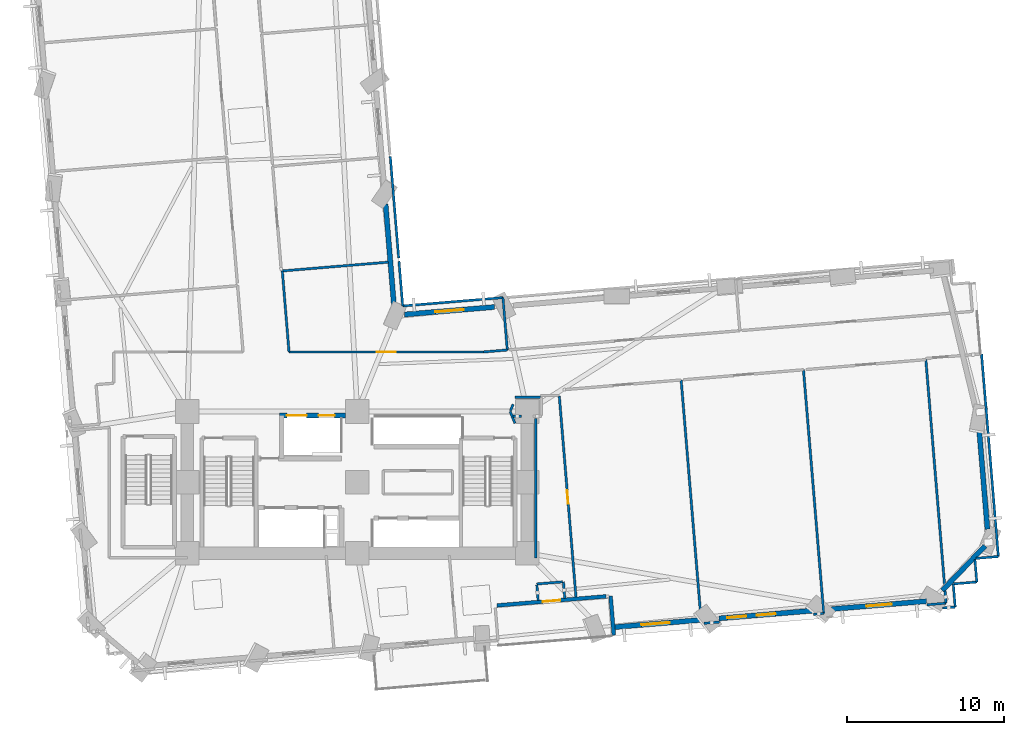
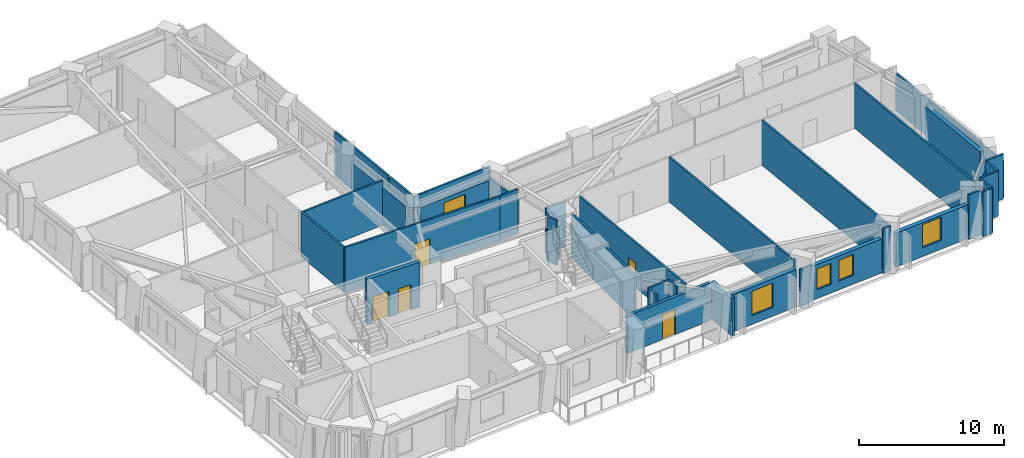
# One storey, part 8 of 14: 40 walls, 5 doors, 5 windows, 10 openings.
"""IFC4 building model written with IfcOpenShell, lengths in metres."""

from ifc_helpers import new_model, si_unit, direction, frame, frame_2d, origin, place, context, subcontext, project, spatial, rectangle, extrude, material, layer, layer_set, type_object, element, fill, save


model = new_model("IFC4")

# Units and contexts
model_context = context("Model", 3, precision=1e-05, world=origin(), true_north=direction((0.0, 1.0)))
body_context = subcontext(model_context, "Body", "Model", "MODEL_VIEW")
ifc_project = project(units=[si_unit("LENGTHUNIT", "METRE"), si_unit("AREAUNIT", "SQUARE_METRE"), si_unit("VOLUMEUNIT", "CUBIC_METRE"), si_unit("PLANEANGLEUNIT", "RADIAN"), si_unit("MASSUNIT", "GRAM", prefix="KILO")], contexts=[model_context])

# Site, building, storey
site_placement = place(None, origin())
site = spatial("IfcSite", under=ifc_project, at=site_placement, CompositionType="ELEMENT")
building_placement = place(site_placement, origin())
building = spatial("IfcBuilding", under=site, at=building_placement, Name="Gaonmaruhae Medical Tower", CompositionType="ELEMENT")
storey_placement = place(building_placement, frame((0.0, 0.0, 43.0)))
storey = spatial("IfcBuildingStorey", under=building, at=storey_placement, Name="L09", CompositionType="ELEMENT", Elevation=43.0)

# Wall, opening, door
ifc_material_1 = material(Name="Precast concrete C45/55", Category="concrete")
ifc_layer_1 = layer(ifc_material_1, 0.239990234375)
ifc_layer_set_1 = layer_set([ifc_layer_1], Name="Precast concrete C45/55")
wall_type_1 = type_object("IfcWallType", Name="EW-240 Ribbon & Shelter Insulated Precast Wall", PredefinedType="SOLIDWALL", material=ifc_layer_set_1)
wall_1_placement = place(storey_placement, frame((40.6142578125, 5.052978515625, 0.0), z_axis=(0.0, 0.0, 1.0), x_axis=(-0.99656749658, -0.082784205981, 0.0)))
wall_1 = element("IfcWall", 1, at=wall_1_placement, inside=storey, type_object=wall_type_1, Name="L09 Recessed Terrace Enclosure Wall TERB", PredefinedType="SOLIDWALL", context=body_context, shape_type="SweptSolid", body=[
    extrude(rectangle(XDim=6.9599609375, YDim=0.239990234375, at=frame_2d((3.47998046875, 0.0))), origin(), (0.0, 0.0, 1.0), 3.1650390625),
])
opening_1_placement = place(wall_1_placement, frame((2.929931640625, 0.0, 0.0)))
opening_1 = element("IfcOpeningElement", 2, at=opening_1_placement, cuts=wall_1, Name="Opening TD-01", PredefinedType="OPENING", context=body_context, shape_type="SweptSolid", body=[
    extrude(rectangle(XDim=1.10009765625, YDim=2.14990234375, at=frame_2d((0.550048828125, 1.074951171875))), frame((0.0, 0.1298828125, 0.0), z_axis=(0.0, -1.0, 0.0), x_axis=(1.0, 0.0, 0.0)), (0.0, 0.0, 1.0), 0.260009765625),
])
ifc_material_2 = material(Name="Anodised aluminium and toughened safety glass", Category="aluminium")
door_type_1 = type_object("IfcDoorType", Name="TD-01 Terrace & Sky Garden Glazed Door 1100x2150", OperationType="NOTDEFINED", PredefinedType="DOOR", material=ifc_material_2)
door_1_placement = place(opening_1_placement, origin())
door_1 = element("IfcDoor", 3, at=door_1_placement, inside=storey, type_object=door_type_1, Name="L09 Outdoor Terrace Access Door SLB-L09-TER", OperationType="SINGLE_SWING_LEFT", OverallHeight=2.14990234375, OverallWidth=1.10009765625, PredefinedType="DOOR", context=body_context, shape_type="SweptSolid", body=[
    extrude(rectangle(XDim=1.10009765625, YDim=2.14990234375, at=frame_2d((0.550048828125, 1.074951171875))), frame((0.0, 0.02490234375, 0.0), z_axis=(0.0, -1.0, 0.0), x_axis=(1.0, 0.0, 0.0)), (0.0, 0.0, 1.0), 0.050048828125),
])
fill(opening_1, door_1)

# Wall
wall_2_placement = place(storey_placement, frame((41.100341796875, 2.584716796875, 0.0), z_axis=(0.0, 0.0, 1.0), x_axis=(-0.082811106501, 0.996565261606, 0.0)))
element("IfcWall", 4, at=wall_2_placement, inside=storey, type_object=wall_type_1, Name="L09 Recessed Terrace Enclosure Wall TERR", PredefinedType="SOLIDWALL", context=body_context, shape_type="SweptSolid", body=[
    extrude(rectangle(XDim=2.5, YDim=0.239990234375, at=frame_2d((1.25, 0.0))), origin(), (0.0, 0.0, 1.0), 3.1650390625),
])

# Wall, opening, window
ifc_layer_2 = layer(ifc_material_1, 0.320068359375)
ifc_layer_set_2 = layer_set([ifc_layer_2], Name="Precast concrete C45/55")
wall_type_2 = type_object("IfcWallType", Name="EW-320 Lower Precast Masonry-Frame Facade Wall", PredefinedType="SOLIDWALL", material=ifc_layer_set_2)
wall_3_placement = place(storey_placement, frame((46.587646484375, 3.552490234375, 0.0), z_axis=(0.0, 0.0, 1.0), x_axis=(-0.99656613328, -0.082800615939, 0.0)))
wall_3 = element("IfcWall", 5, at=wall_3_placement, inside=storey, type_object=wall_type_2, Name="L09 Precast Masonry-Frame Wall S05-S06", PredefinedType="SOLIDWALL", context=body_context, shape_type="SweptSolid", body=[
    extrude(rectangle(XDim=5.528564453125, YDim=0.320068359375, at=frame_2d((2.76416015625, 0.0))), origin(), (0.0, 0.0, 1.0), 3.14501953125),
])
opening_2_placement = place(wall_3_placement, frame((1.94091796875, 0.0, 0.75)))
opening_2 = element("IfcOpeningElement", 6, at=opening_2_placement, cuts=wall_3, Name="Opening WN-04", PredefinedType="OPENING", context=body_context, shape_type="SweptSolid", body=[
    extrude(rectangle(XDim=1.800048828125, YDim=2.050048828125, at=frame_2d((0.89990234375, 1.02490234375))), frame((0.0, 0.169921875, 0.0), z_axis=(0.0, -1.0, 0.0), x_axis=(1.0, 0.0, 0.0)), (0.0, 0.0, 1.0), 0.340087890625),
])
ifc_material_3 = material(Name="Anodised aluminium and Low-E double glazing", Category="aluminium")
window_type_1 = type_object("IfcWindowType", Name="WN-04 Clinic & Consult Punched Window 1800x2050", PartitioningType="SINGLE_PANEL", PredefinedType="WINDOW", material=ifc_material_3)
window_1_placement = place(opening_2_placement, origin())
window_1 = element("IfcWindow", 7, at=window_1_placement, inside=storey, type_object=window_type_1, Name="L09 Modular Facade Window S05", OverallHeight=2.050048828125, OverallWidth=1.800048828125, PartitioningType="SINGLE_PANEL", PredefinedType="WINDOW", context=body_context, shape_type="SweptSolid", body=[
    extrude(rectangle(XDim=1.800048828125, YDim=2.050048828125, at=frame_2d((0.89990234375, 1.02490234375))), frame((0.0, 0.030029296875, 0.0), z_axis=(0.0, -1.0, 0.0), x_axis=(1.0, 0.0, 0.0)), (0.0, 0.0, 1.0), 0.06005859375),
])
fill(opening_2, window_1)

# Wall, openings, windows
wall_4_placement = place(storey_placement, frame((53.775390625, 4.14990234375, 0.0), z_axis=(0.0, 0.0, 1.0), x_axis=(-0.996563099215, -0.082837125026, 0.0)))
wall_4 = element("IfcWall", 8, at=wall_4_placement, inside=storey, type_object=wall_type_2, Name="L09 Precast Masonry-Frame Wall S06-S07", PredefinedType="SOLIDWALL", context=body_context, shape_type="SweptSolid", body=[
    extrude(rectangle(XDim=6.012451171875, YDim=0.320068359375, at=frame_2d((3.00634765625, 0.0))), origin(), (0.0, 0.0, 1.0), 2.864990234375),
])
opening_3_placement = place(wall_4_placement, frame((2.408935546875, 0.0, 0.75)))
opening_3 = element("IfcOpeningElement", 9, at=opening_3_placement, cuts=wall_4, Name="Opening WN-05", PredefinedType="OPENING", context=body_context, shape_type="SweptSolid", body=[
    extrude(rectangle(XDim=1.199951171875, YDim=1.75, at=frame_2d((0.60009765625, 0.875))), frame((0.0, 0.169921875, 0.0), z_axis=(0.0, -1.0, 0.0), x_axis=(1.0, 0.0, 0.0)), (0.0, 0.0, 1.0), 0.340087890625),
])
opening_4_placement = place(wall_4_placement, frame((4.27392578125, 0.0, 0.75)))
opening_4 = element("IfcOpeningElement", 10, at=opening_4_placement, cuts=wall_4, Name="Opening WN-05", PredefinedType="OPENING", context=body_context, shape_type="SweptSolid", body=[
    extrude(rectangle(XDim=1.199951171875, YDim=1.75, at=frame_2d((0.60009765625, 0.875))), frame((0.0, 0.169921875, 0.0), z_axis=(0.0, -1.0, 0.0), x_axis=(1.0, 0.0, 0.0)), (0.0, 0.0, 1.0), 0.340087890625),
])
window_type_2 = type_object("IfcWindowType", Name="WN-05 Support & Staff Punched Window 1200x1750", PartitioningType="SINGLE_PANEL", PredefinedType="WINDOW", material=ifc_material_3)
window_2_placement = place(opening_3_placement, origin())
window_2 = element("IfcWindow", 11, at=window_2_placement, inside=storey, type_object=window_type_2, Name="L09 Modular Facade Window S06", OverallHeight=1.75, OverallWidth=1.199951171875, PartitioningType="SINGLE_PANEL", PredefinedType="WINDOW", context=body_context, shape_type="SweptSolid", body=[
    extrude(rectangle(XDim=1.199951171875, YDim=1.75, at=frame_2d((0.60009765625, 0.875))), frame((0.0, 0.030029296875, 0.0), z_axis=(0.0, -1.0, 0.0), x_axis=(1.0, 0.0, 0.0)), (0.0, 0.0, 1.0), 0.06005859375),
])
fill(opening_3, window_2)
window_3_placement = place(opening_4_placement, origin())
window_3 = element("IfcWindow", 12, at=window_3_placement, inside=storey, type_object=window_type_2, Name="L09 Modular Facade Window S06B", OverallHeight=1.75, OverallWidth=1.199951171875, PartitioningType="SINGLE_PANEL", PredefinedType="WINDOW", context=body_context, shape_type="SweptSolid", body=[
    extrude(rectangle(XDim=1.199951171875, YDim=1.75, at=frame_2d((0.60009765625, 0.875))), frame((0.0, 0.030029296875, 0.0), z_axis=(0.0, -1.0, 0.0), x_axis=(1.0, 0.0, 0.0)), (0.0, 0.0, 1.0), 0.06005859375),
])
fill(opening_4, window_3)

# Wall, opening, window
wall_5_placement = place(storey_placement, frame((60.969482421875, 4.74755859375, 0.0), z_axis=(0.0, 0.0, 1.0), x_axis=(-0.996566340034, -0.082798127465, 0.0)))
wall_5 = element("IfcWall", 13, at=wall_5_placement, inside=storey, type_object=wall_type_2, Name="L09 Precast Masonry-Frame Wall S07-S08", PredefinedType="SOLIDWALL", context=body_context, shape_type="SweptSolid", body=[
    extrude(rectangle(XDim=6.044677734375, YDim=0.320068359375, at=frame_2d((3.0224609375, 0.0))), origin(), (0.0, 0.0, 1.0), 2.864990234375),
])
opening_5_placement = place(wall_5_placement, frame((2.226806640625, 0.0, 0.75)))
opening_5 = element("IfcOpeningElement", 14, at=opening_5_placement, cuts=wall_5, Name="Opening WN-01", PredefinedType="OPENING", context=body_context, shape_type="SweptSolid", body=[
    extrude(rectangle(XDim=1.60009765625, YDim=1.949951171875, at=frame_2d((0.800048828125, 0.97509765625))), frame((0.0, 0.169921875, 0.0), z_axis=(0.0, -1.0, 0.0), x_axis=(1.0, 0.0, 0.0)), (0.0, 0.0, 1.0), 0.340087890625),
])
window_type_3 = type_object("IfcWindowType", Name="WN-01 Ward Punched Acoustic Window 1600x1950", PartitioningType="SINGLE_PANEL", PredefinedType="WINDOW", material=ifc_material_3)
window_4_placement = place(opening_5_placement, origin())
window_4 = element("IfcWindow", 15, at=window_4_placement, inside=storey, type_object=window_type_3, Name="L09 Modular Facade Window S07", OverallHeight=1.949951171875, OverallWidth=1.60009765625, PartitioningType="SINGLE_PANEL", PredefinedType="WINDOW", context=body_context, shape_type="SweptSolid", body=[
    extrude(rectangle(XDim=1.60009765625, YDim=1.949951171875, at=frame_2d((0.800048828125, 0.97509765625))), frame((0.0, 0.030029296875, 0.0), z_axis=(0.0, -1.0, 0.0), x_axis=(1.0, 0.0, 0.0)), (0.0, 0.0, 1.0), 0.06005859375),
])
fill(opening_5, window_4)

# Walls
wall_6_placement = place(storey_placement, frame((64.685791015625, 8.25439453125, 0.0), z_axis=(0.0, 0.0, 1.0), x_axis=(-0.692157788421, -0.721746212964, 0.0)))
element("IfcWall", 16, at=wall_6_placement, inside=storey, type_object=wall_type_2, Name="L09 Precast Masonry-Frame Wall S08-E01", PredefinedType="SOLIDWALL", context=body_context, shape_type="SweptSolid", body=[
    extrude(rectangle(XDim=3.927490234375, YDim=0.320068359375, at=frame_2d((1.9638671875, 0.0))), origin(), (0.0, 0.0, 1.0), 3.1650390625),
])
wall_7_placement = place(storey_placement, frame((64.291748046875, 15.907958984375, 0.0), z_axis=(0.0, 0.0, 1.0), x_axis=(0.082804011352, -0.996565851163, 0.0)))
element("IfcWall", 17, at=wall_7_placement, inside=storey, type_object=wall_type_2, Name="L09 Precast Masonry-Frame Wall E01-E02", PredefinedType="SOLIDWALL", context=body_context, shape_type="SweptSolid", body=[
    extrude(rectangle(XDim=6.6103515625, YDim=0.320068359375, at=frame_2d((3.30517578125, 0.0))), origin(), (0.0, 0.0, 1.0), 3.1650390625),
])

# Wall, opening, window
wall_8_placement = place(storey_placement, frame((27.79931640625, 22.96337890625, 0.0), z_axis=(0.0, 0.0, 1.0), x_axis=(0.996567737583, 0.082781304702, 0.0)))
wall_8 = element("IfcWall", 18, at=wall_8_placement, inside=storey, type_object=wall_type_2, Name="L09 Precast Masonry-Frame Wall EN04-KN01", PredefinedType="SOLIDWALL", context=body_context, shape_type="SweptSolid", body=[
    extrude(rectangle(XDim=5.736328125, YDim=0.320068359375, at=frame_2d((2.8681640625, 0.0))), origin(), (0.0, 0.0, 1.0), 3.1650390625),
])
opening_6_placement = place(wall_8_placement, frame((1.968505859375, 0.0, 0.75)))
opening_6 = element("IfcOpeningElement", 19, at=opening_6_placement, cuts=wall_8, Name="Opening WN-04", PredefinedType="OPENING", context=body_context, shape_type="SweptSolid", body=[
    extrude(rectangle(XDim=1.800048828125, YDim=2.050048828125, at=frame_2d((0.89990234375, 1.02490234375))), frame((0.0, 0.169921875, 0.0), z_axis=(0.0, -1.0, 0.0), x_axis=(1.0, 0.0, 0.0)), (0.0, 0.0, 1.0), 0.340087890625),
])
window_5_placement = place(opening_6_placement, origin())
window_5 = element("IfcWindow", 20, at=window_5_placement, inside=storey, type_object=window_type_1, Name="L09 Modular Facade Window EN04", OverallHeight=2.050048828125, OverallWidth=1.800048828125, PartitioningType="SINGLE_PANEL", PredefinedType="WINDOW", context=body_context, shape_type="SweptSolid", body=[
    extrude(rectangle(XDim=1.800048828125, YDim=2.050048828125, at=frame_2d((0.89990234375, 1.02490234375))), frame((0.0, 0.030029296875, 0.0), z_axis=(0.0, -1.0, 0.0), x_axis=(1.0, 0.0, 0.0)), (0.0, 0.0, 1.0), 0.06005859375),
])
fill(opening_6, window_5)

# Walls
wall_9_placement = place(storey_placement, frame((27.138427734375, 23.4638671875, 0.0), z_axis=(0.0, 0.0, 1.0), x_axis=(-0.082810543058, 0.996565308426, 0.0)))
element("IfcWall", 21, at=wall_9_placement, inside=storey, type_object=wall_type_2, Name="L09 Precast Masonry-Frame Wall KN01-NE01", PredefinedType="SOLIDWALL", context=body_context, shape_type="SweptSolid", body=[
    extrude(rectangle(XDim=6.5361328125, YDim=0.320068359375, at=frame_2d((3.26806640625, 0.0))), origin(), (0.0, 0.0, 1.0), 3.1650390625),
])
ifc_material_4 = material(Name="Gypsum board partition", Category="gypsum")
ifc_layer_3 = layer(ifc_material_4, 0.14990234375)
ifc_layer_set_3 = layer_set([ifc_layer_3], Name="Gypsum board partition")
wall_type_3 = type_object("IfcWallType", Name="PW-150 Rated Clinical Corridor Partition", PredefinedType="PARTITIONING", material=ifc_layer_set_3)
wall_10_placement = place(storey_placement, frame((36.14990234375, 7.5, 0.0), z_axis=(0.0, 0.0, 1.0), x_axis=(0.0, 1.0, 0.0)))
element("IfcWall", 22, at=wall_10_placement, inside=storey, type_object=wall_type_3, Name="L09 Interior Partition L09-SUP04-20", PredefinedType="PARTITIONING", context=body_context, shape_type="SweptSolid", body=[
    extrude(rectangle(XDim=8.840087890625, YDim=0.14990234375, at=frame_2d((4.419921875, 0.0))), origin(), (0.0, 0.0, 1.0), 3.780029296875),
])
wall_11_placement = place(storey_placement, frame((34.822021484375, 16.050048828125, 0.0), z_axis=(0.0, 0.0, 1.0), x_axis=(-0.382050639738, 0.924141389981, 0.0)))
element("IfcWall", 23, at=wall_11_placement, inside=storey, type_object=wall_type_3, Name="L09 Interior Partition L09-SUP04-21", PredefinedType="PARTITIONING", context=body_context, shape_type="SweptSolid", body=[
    extrude(rectangle(XDim=0.8115234375, YDim=0.14990234375, at=frame_2d((0.40576171875, 0.0))), origin(), (0.0, 0.0, 1.0), 3.780029296875),
])
wall_12_placement = place(storey_placement, frame((34.531005859375, 16.845947265625, 0.0), z_axis=(0.0, 0.0, 1.0), x_axis=(0.382612233621, 0.923909020782, 0.0)))
element("IfcWall", 24, at=wall_12_placement, inside=storey, type_object=wall_type_3, Name="L09 Interior Partition L09-SUP04-22", PredefinedType="PARTITIONING", context=body_context, shape_type="SweptSolid", body=[
    extrude(rectangle(XDim=0.441650390625, YDim=0.14990234375, at=frame_2d((0.220703125, 0.0))), origin(), (0.0, 0.0, 1.0), 3.780029296875),
])
wall_13_placement = place(storey_placement, frame((34.699951171875, 16.5, 0.0), z_axis=(0.0, 0.0, 1.0), x_axis=(1.0, 0.0, 0.0)))
element("IfcWall", 25, at=wall_13_placement, inside=storey, type_object=wall_type_3, Name="L09 Interior Partition L09-SUP04-23", PredefinedType="PARTITIONING", context=body_context, shape_type="SweptSolid", body=[
    extrude(rectangle(XDim=0.525146484375, YDim=0.14990234375, at=frame_2d((0.2626953125, 0.0))), origin(), (0.0, 0.0, 1.0), 2.864990234375),
])
wall_14_placement = place(storey_placement, frame((36.449951171875, 17.699951171875, 0.0), z_axis=(0.0, 0.0, 1.0), x_axis=(-1.0, 0.0, 0.0)))
element("IfcWall", 26, at=wall_14_placement, inside=storey, type_object=wall_type_3, Name="L09 Interior Partition L09-SUP04-26", PredefinedType="PARTITIONING", context=body_context, shape_type="SweptSolid", body=[
    extrude(rectangle(XDim=1.619873046875, YDim=0.14990234375, at=frame_2d((0.81005859375, 0.0))), origin(), (0.0, 0.0, 1.0), 3.780029296875),
])

# Wall, opening, door
wall_15_placement = place(storey_placement, frame((37.635986328125, 17.77001953125, 0.0), z_axis=(0.0, 0.0, 1.0), x_axis=(0.082807590284, -0.996565553785, 0.0)))
wall_15 = element("IfcWall", 27, at=wall_15_placement, inside=storey, type_object=wall_type_3, Name="L09 Interior Partition L09-SUP04-28", PredefinedType="PARTITIONING", context=body_context, shape_type="SweptSolid", body=[
    extrude(rectangle(XDim=12.824951171875, YDim=0.14990234375, at=frame_2d((6.41259765625, 0.0))), origin(), (0.0, 0.0, 1.0), 3.780029296875),
])
opening_7_placement = place(wall_15_placement, frame((5.982421875, 0.0, 0.0)))
opening_7 = element("IfcOpeningElement", 28, at=opening_7_placement, cuts=wall_15, Name="Opening AD-01", PredefinedType="OPENING", context=body_context, shape_type="SweptSolid", body=[
    extrude(rectangle(XDim=0.860107421875, YDim=2.06005859375, at=frame_2d((0.43017578125, 1.030029296875))), frame((0.0, 0.0849609375, 0.0), z_axis=(0.0, -1.0, 0.0), x_axis=(1.0, 0.0, 0.0)), (0.0, 0.0, 1.0), 0.169921875),
])
ifc_material_5 = material(Name="Powder-coated steel access door", Category="steel")
door_type_2 = type_object("IfcDoorType", Name="AD-01 Riser & Closet Access Fire Door 860x2060", OperationType="NOTDEFINED", PredefinedType="DOOR", material=ifc_material_5)
door_2_placement = place(opening_7_placement, origin())
door_2 = element("IfcDoor", 29, at=door_2_placement, inside=storey, type_object=door_type_2, Name="L09 Clinical Biomedical Charting Office Sliding Door", OperationType="SLIDING_TO_LEFT", OverallHeight=2.06005859375, OverallWidth=0.860107421875, PredefinedType="DOOR", context=body_context, shape_type="SweptSolid", body=[
    extrude(rectangle(XDim=0.860107421875, YDim=2.06005859375, at=frame_2d((0.43017578125, 1.030029296875))), frame((0.0, 0.02490234375, 0.0), z_axis=(0.0, -1.0, 0.0), x_axis=(1.0, 0.0, 0.0)), (0.0, 0.0, 1.0), 0.050048828125),
])
fill(opening_7, door_2)

# Walls
wall_16_placement = place(storey_placement, frame((37.986083984375, 4.929931640625, 0.0), z_axis=(0.0, 0.0, 1.0), x_axis=(-0.083562696939, 0.996502521663, 0.0)))
element("IfcWall", 30, at=wall_16_placement, inside=storey, type_object=wall_type_3, Name="L09 Interior Partition L09-SUP04-29", PredefinedType="PARTITIONING", context=body_context, shape_type="SweptSolid", body=[
    extrude(rectangle(XDim=1.0546875, YDim=0.14990234375, at=frame_2d((0.52734375, 0.0))), origin(), (0.0, 0.0, 1.0), 3.780029296875),
])
wall_17_placement = place(storey_placement, frame((37.847900390625, 5.97705078125, 0.0), z_axis=(0.0, 0.0, 1.0), x_axis=(-0.996595596875, -0.08244523206, 0.0)))
element("IfcWall", 31, at=wall_17_placement, inside=storey, type_object=wall_type_3, Name="L09 Interior Partition L09-SUP04-30", PredefinedType="PARTITIONING", context=body_context, shape_type="SweptSolid", body=[
    extrude(rectangle(XDim=1.6494140625, YDim=0.14990234375, at=frame_2d((0.82470703125, 0.0))), origin(), (0.0, 0.0, 1.0), 3.780029296875),
])
wall_18_placement = place(storey_placement, frame((36.2080078125, 5.791015625, 0.0), z_axis=(0.0, 0.0, 1.0), x_axis=(0.083527747419, -0.996505451772, 0.0)))
element("IfcWall", 32, at=wall_18_placement, inside=storey, type_object=wall_type_3, Name="L09 Interior Partition L09-SUP04-31", PredefinedType="PARTITIONING", context=body_context, shape_type="SweptSolid", body=[
    extrude(rectangle(XDim=1.00537109375, YDim=0.14990234375, at=frame_2d((0.502685546875, 0.0))), origin(), (0.0, 0.0, 1.0), 3.780029296875),
])
wall_19_placement = place(storey_placement, frame((45.376953125, 18.804931640625, 0.0), z_axis=(0.0, 0.0, 1.0), x_axis=(0.082821840324, -0.996564369605, 0.0)))
element("IfcWall", 33, at=wall_19_placement, inside=storey, type_object=wall_type_3, Name="L09 Interior Partition L09-SUP05-35", PredefinedType="PARTITIONING", context=body_context, shape_type="SweptSolid", body=[
    extrude(rectangle(XDim=15.17822265625, YDim=0.14990234375, at=frame_2d((7.589111328125, 0.0))), origin(), (0.0, 0.0, 1.0), 3.780029296875),
])
wall_20_placement = place(storey_placement, frame((53.14990234375, 19.450927734375, 0.0), z_axis=(0.0, 0.0, 1.0), x_axis=(0.08281520051, -0.9965649214, 0.0)))
element("IfcWall", 34, at=wall_20_placement, inside=storey, type_object=wall_type_3, Name="L09 Interior Partition L09-SUP06-37", PredefinedType="PARTITIONING", context=body_context, shape_type="SweptSolid", body=[
    extrude(rectangle(XDim=15.5302734375, YDim=0.14990234375, at=frame_2d((7.76513671875, 0.0))), origin(), (0.0, 0.0, 1.0), 3.780029296875),
])
wall_21_placement = place(storey_placement, frame((54.43603515625, 3.97412109375, 0.0), z_axis=(0.0, 0.0, 1.0), x_axis=(-0.996582247746, -0.082606437266, 0.0)))
element("IfcWall", 35, at=wall_21_placement, inside=storey, type_object=wall_type_3, Name="L09 Interior Partition L09-SUP06-38", PredefinedType="PARTITIONING", context=body_context, shape_type="SweptSolid", body=[
    extrude(rectangle(XDim=0.644287109375, YDim=0.14990234375, at=frame_2d((0.322265625, 0.0))), origin(), (0.0, 0.0, 1.0), 3.780029296875),
])
wall_22_placement = place(storey_placement, frame((47.802978515625, 3.423095703125, 0.0), z_axis=(0.0, 0.0, 1.0), x_axis=(-0.9965217706, -0.083332830991, 0.0)))
element("IfcWall", 36, at=wall_22_placement, inside=storey, type_object=wall_type_3, Name="L09 Interior Partition L09-SUP06-39", PredefinedType="PARTITIONING", context=body_context, shape_type="SweptSolid", body=[
    extrude(rectangle(XDim=0.984375, YDim=0.14990234375, at=frame_2d((0.4921875, 0.0))), origin(), (0.0, 0.0, 1.0), 3.14501953125),
])
wall_23_placement = place(storey_placement, frame((60.923095703125, 20.095947265625, 0.0), z_axis=(0.0, 0.0, 1.0), x_axis=(0.082827667488, -0.996563885307, 0.0)))
element("IfcWall", 37, at=wall_23_placement, inside=storey, type_object=wall_type_3, Name="L09 Interior Partition L09-SUP07-41", PredefinedType="PARTITIONING", context=body_context, shape_type="SweptSolid", body=[
    extrude(rectangle(XDim=14.378173828125, YDim=0.14990234375, at=frame_2d((7.18896484375, 0.0))), origin(), (0.0, 0.0, 1.0), 3.780029296875),
])
wall_24_placement = place(storey_placement, frame((62.14306640625, 5.407958984375, 0.0), z_axis=(0.0, 0.0, 1.0), x_axis=(0.083377708252, -0.99651801678, 0.0)))
element("IfcWall", 38, at=wall_24_placement, inside=storey, type_object=wall_type_3, Name="L09 Interior Partition L09-SUP07-42", PredefinedType="PARTITIONING", context=body_context, shape_type="SweptSolid", body=[
    extrude(rectangle(XDim=0.79052734375, YDim=0.14990234375, at=frame_2d((0.395263671875, 0.0))), origin(), (0.0, 0.0, 1.0), 3.780029296875),
])
wall_25_placement = place(storey_placement, frame((62.208984375, 4.6201171875, 0.0), z_axis=(0.0, 0.0, 1.0), x_axis=(-0.996590962636, -0.08250123146, 0.0)))
element("IfcWall", 39, at=wall_25_placement, inside=storey, type_object=wall_type_3, Name="L09 Interior Partition L09-SUP07-43", PredefinedType="PARTITIONING", context=body_context, shape_type="SweptSolid", body=[
    extrude(rectangle(XDim=1.22509765625, YDim=0.14990234375, at=frame_2d((0.612548828125, 0.0))), origin(), (0.0, 0.0, 1.0), 3.780029296875),
])
wall_26_placement = place(storey_placement, frame((20.035888671875, 25.72998046875, 0.0), z_axis=(0.0, 0.0, 1.0), x_axis=(0.99656939588, 0.082761338769, 0.0)))
element("IfcWall", 40, at=wall_26_placement, inside=storey, type_object=wall_type_3, Name="L09 Interior Partition L09-IE01-67", PredefinedType="PARTITIONING", context=body_context, shape_type="SweptSolid", body=[
    extrude(rectangle(XDim=6.75537109375, YDim=0.14990234375, at=frame_2d((3.377685546875, 0.0))), origin(), (0.0, 0.0, 1.0), 3.780029296875),
])
wall_27_placement = place(storey_placement, frame((27.450927734375, 26.345947265625, 0.0), z_axis=(0.0, 0.0, 1.0), x_axis=(0.082846950407, -0.996562282453, 0.0)))
element("IfcWall", 41, at=wall_27_placement, inside=storey, type_object=wall_type_3, Name="L09 Interior Partition L09-IE01-68", PredefinedType="PARTITIONING", context=body_context, shape_type="SweptSolid", body=[
    extrude(rectangle(XDim=2.849609375, YDim=0.14990234375, at=frame_2d((1.4248046875, 0.0))), origin(), (0.0, 0.0, 1.0), 3.780029296875),
])
wall_28_placement = place(storey_placement, frame((27.68701171875, 23.506103515625, 0.0), z_axis=(0.0, 0.0, 1.0), x_axis=(0.996571787755, 0.082732531995, 0.0)))
element("IfcWall", 42, at=wall_28_placement, inside=storey, type_object=wall_type_3, Name="L09 Interior Partition L09-IE01-69", PredefinedType="PARTITIONING", context=body_context, shape_type="SweptSolid", body=[
    extrude(rectangle(XDim=6.391845703125, YDim=0.14990234375, at=frame_2d((3.19580078125, 0.0))), origin(), (0.0, 0.0, 1.0), 3.780029296875),
])
wall_29_placement = place(storey_placement, frame((34.056884765625, 24.034912109375, 0.0), z_axis=(0.0, 0.0, 1.0), x_axis=(0.082688491374, -0.996575442901, 0.0)))
element("IfcWall", 43, at=wall_29_placement, inside=storey, type_object=wall_type_3, Name="L09 Interior Partition L09-IE01-70", PredefinedType="PARTITIONING", context=body_context, shape_type="SweptSolid", body=[
    extrude(rectangle(XDim=3.33935546875, YDim=0.14990234375, at=frame_2d((1.669677734375, 0.0))), origin(), (0.0, 0.0, 1.0), 2.864990234375),
])
wall_30_placement = place(storey_placement, frame((34.3330078125, 20.70703125, 0.0), z_axis=(0.0, 0.0, 1.0), x_axis=(-0.996547959991, -0.083019054661, 0.0)))
element("IfcWall", 44, at=wall_30_placement, inside=storey, type_object=wall_type_3, Name="L09 Interior Partition L09-IE01-71", PredefinedType="PARTITIONING", context=body_context, shape_type="SweptSolid", body=[
    extrude(rectangle(XDim=1.529296875, YDim=0.14990234375, at=frame_2d((0.7646484375, 0.0))), origin(), (0.0, 0.0, 1.0), 3.780029296875),
])

# Wall, opening, door
wall_31_placement = place(storey_placement, frame((32.80908203125, 20.580078125, 0.0), z_axis=(0.0, 0.0, 1.0), x_axis=(-1.0, 0.0, 0.0)))
wall_31 = element("IfcWall", 45, at=wall_31_placement, inside=storey, type_object=wall_type_3, Name="L09 Interior Partition L09-IE01-72", PredefinedType="PARTITIONING", context=body_context, shape_type="SweptSolid", body=[
    extrude(rectangle(XDim=12.344970703125, YDim=0.14990234375, at=frame_2d((6.17236328125, 0.0))), origin(), (0.0, 0.0, 1.0), 3.780029296875),
])
opening_8_placement = place(wall_31_placement, frame((5.572509765625, 0.0, 0.0)))
opening_8 = element("IfcOpeningElement", 46, at=opening_8_placement, cuts=wall_31, Name="Opening CD-02", PredefinedType="OPENING", context=body_context, shape_type="SweptSolid", body=[
    extrude(rectangle(XDim=1.199951171875, YDim=2.14990234375, at=frame_2d((0.60009765625, 1.074951171875))), frame((0.0, 0.0849609375, 0.0), z_axis=(0.0, -1.0, 0.0), x_axis=(1.0, 0.0, 0.0)), (0.0, 0.0, 1.0), 0.169921875),
])
ifc_material_6 = material(Name="Antimicrobial laminate timber fire door", Category="wood")
door_type_3 = type_object("IfcDoorType", Name="CD-02 Clinical Treatment & Procedure Door 1200x2150", OperationType="NOTDEFINED", PredefinedType="DOOR", material=ifc_material_6)
door_3_placement = place(opening_8_placement, origin())
door_3 = element("IfcDoor", 47, at=door_3_placement, inside=storey, type_object=door_type_3, Name="L09 Central Clinical Nurse Station Door", OperationType="SINGLE_SWING_RIGHT", OverallHeight=2.14990234375, OverallWidth=1.199951171875, PredefinedType="DOOR", context=body_context, shape_type="SweptSolid", body=[
    extrude(rectangle(XDim=1.199951171875, YDim=2.14990234375, at=frame_2d((0.60009765625, 1.074951171875))), frame((0.0, 0.02490234375, 0.0), z_axis=(0.0, -1.0, 0.0), x_axis=(1.0, 0.0, 0.0)), (0.0, 0.0, 1.0), 0.050048828125),
])
fill(opening_8, door_3)

# Walls
wall_32_placement = place(storey_placement, frame((20.464111328125, 20.580078125, 0.0), z_axis=(0.0, 0.0, 1.0), x_axis=(-0.08286562624, 0.996560729704, 0.0)))
element("IfcWall", 48, at=wall_32_placement, inside=storey, type_object=wall_type_3, Name="L09 Interior Partition L09-IE01-73", PredefinedType="PARTITIONING", context=body_context, shape_type="SweptSolid", body=[
    extrude(rectangle(XDim=5.167724609375, YDim=0.14990234375, at=frame_2d((2.583984375, 0.0))), origin(), (0.0, 0.0, 1.0), 3.780029296875),
])
wall_33_placement = place(storey_placement, frame((26.89892578125, 32.992919921875, 0.0), z_axis=(0.0, 0.0, 1.0), x_axis=(0.082688926435, -0.996575406803, 0.0)))
element("IfcWall", 49, at=wall_33_placement, inside=storey, type_object=wall_type_3, Name="L09 Interior Partition L09-IN01-85", PredefinedType="PARTITIONING", context=body_context, shape_type="SweptSolid", body=[
    extrude(rectangle(XDim=6.460205078125, YDim=0.14990234375, at=frame_2d((3.22998046875, 0.0))), origin(), (0.0, 0.0, 1.0), 3.780029296875),
])
wall_34_placement = place(storey_placement, frame((64.0458984375, 7.39208984375, 0.0), z_axis=(0.0, 0.0, 1.0), x_axis=(0.083257268656, -0.996528086516, 0.0)))
element("IfcWall", 50, at=wall_34_placement, inside=storey, type_object=wall_type_3, Name="L09 Interior Partition L09-RM03-100", PredefinedType="PARTITIONING", context=body_context, shape_type="SweptSolid", body=[
    extrude(rectangle(XDim=1.430908203125, YDim=0.14990234375, at=frame_2d((0.71533203125, 0.0))), origin(), (0.0, 0.0, 1.0), 3.780029296875),
])
wall_35_placement = place(storey_placement, frame((64.1650390625, 5.966064453125, 0.0), z_axis=(0.0, 0.0, 1.0), x_axis=(-0.99657711121, -0.082668382184, 0.0)))
element("IfcWall", 51, at=wall_35_placement, inside=storey, type_object=wall_type_3, Name="L09 Interior Partition L09-RM03-101", PredefinedType="PARTITIONING", context=body_context, shape_type="SweptSolid", body=[
    extrude(rectangle(XDim=1.500244140625, YDim=0.14990234375, at=frame_2d((0.75, 0.0))), origin(), (0.0, 0.0, 1.0), 3.780029296875),
])
wall_36_placement = place(storey_placement, frame((62.669921875, 5.842041015625, 0.0), z_axis=(0.0, 0.0, 1.0), x_axis=(0.082372007879, -0.996601651774, 0.0)))
element("IfcWall", 52, at=wall_36_placement, inside=storey, type_object=wall_type_3, Name="L09 Interior Partition L09-RM03-102", PredefinedType="PARTITIONING", context=body_context, shape_type="SweptSolid", body=[
    extrude(rectangle(XDim=1.469970703125, YDim=0.14990234375, at=frame_2d((0.73486328125, 0.0))), origin(), (0.0, 0.0, 1.0), 3.780029296875),
])
wall_37_placement = place(storey_placement, frame((62.791015625, 4.376953125, 0.0), z_axis=(0.0, 0.0, 1.0), x_axis=(-0.99656626832, -0.082798990614, 0.0)))
element("IfcWall", 53, at=wall_37_placement, inside=storey, type_object=wall_type_3, Name="L09 Interior Partition L09-RM03-103", PredefinedType="PARTITIONING", context=body_context, shape_type="SweptSolid", body=[
    extrude(rectangle(XDim=0.81982421875, YDim=0.14990234375, at=frame_2d((0.409912109375, 0.0))), origin(), (0.0, 0.0, 1.0), 3.780029296875),
])
wall_38_placement = place(storey_placement, frame((64.465087890625, 20.4609375, 0.0), z_axis=(0.0, 0.0, 1.0), x_axis=(0.082801525688, -0.996566057692, 0.0)))
element("IfcWall", 54, at=wall_38_placement, inside=storey, type_object=wall_type_3, Name="L09 Interior Partition L09-RM03-106", PredefinedType="PARTITIONING", context=body_context, shape_type="SweptSolid", body=[
    extrude(rectangle(XDim=12.92041015625, YDim=0.14990234375, at=frame_2d((6.460205078125, 0.0))), origin(), (0.0, 0.0, 1.0), 3.1650390625),
])
wall_39_placement = place(storey_placement, frame((65.534912109375, 7.5849609375, 0.0), z_axis=(0.0, 0.0, 1.0), x_axis=(-0.996555224945, -0.082931801111, 0.0)))
element("IfcWall", 55, at=wall_39_placement, inside=storey, type_object=wall_type_3, Name="L09 Interior Partition L09-RM03-107", PredefinedType="PARTITIONING", context=body_context, shape_type="SweptSolid", body=[
    extrude(rectangle(XDim=1.421875, YDim=0.14990234375, at=frame_2d((0.7109375, 0.0))), origin(), (0.0, 0.0, 1.0), 3.780029296875),
])

# Wall, openings, doors
ifc_material_7 = material(Name="Concrete C50/60", Category="concrete")
ifc_layer_4 = layer(ifc_material_7, 0.300048828125)
ifc_layer_set_4 = layer_set([ifc_layer_4], Name="Concrete C50/60")
wall_type_4 = type_object("IfcWallType", Name="SW-300 Stair & Lift Hoistway Shaft Wall", PredefinedType="SOLIDWALL", material=ifc_layer_set_4)
wall_40_placement = place(storey_placement, frame((19.85009765625, 16.550048828125, 0.0), z_axis=(0.0, 0.0, 1.0), x_axis=(1.0, 0.0, 0.0)))
wall_40 = element("IfcWall", 56, at=wall_40_placement, inside=storey, type_object=wall_type_4, Name="L09 Core Shear Wall CSW-NB", PredefinedType="SOLIDWALL", context=body_context, shape_type="SweptSolid", body=[
    extrude(rectangle(XDim=4.199951171875, YDim=0.300048828125, at=frame_2d((2.10009765625, 0.0))), origin(), (0.0, 0.0, 1.0), 3.780029296875),
])
opening_9_placement = place(wall_40_placement, frame((0.47509765625, 0.0, 0.0)))
opening_9 = element("IfcOpeningElement", 57, at=opening_9_placement, cuts=wall_40, Name="Opening LD-F1", PredefinedType="OPENING", context=body_context, shape_type="SweptSolid", body=[
    extrude(rectangle(XDim=1.25, YDim=2.179931640625, at=frame_2d((0.625, 1.08984375))), frame((0.0, 0.16015625, 0.0), z_axis=(0.0, -1.0, 0.0), x_axis=(1.0, 0.0, 0.0)), (0.0, 0.0, 1.0), 0.320068359375),
])
opening_10_placement = place(wall_40_placement, frame((2.489990234375, 0.0, 0.0)))
opening_10 = element("IfcOpeningElement", 58, at=opening_10_placement, cuts=wall_40, Name="Opening LD-S1", PredefinedType="OPENING", context=body_context, shape_type="SweptSolid", body=[
    extrude(rectangle(XDim=1.02001953125, YDim=2.1201171875, at=frame_2d((0.510009765625, 1.06005859375))), frame((0.0, 0.16015625, 0.0), z_axis=(0.0, -1.0, 0.0), x_axis=(1.0, 0.0, 0.0)), (0.0, 0.0, 1.0), 0.320068359375),
])
ifc_material_8 = material(Name="Brushed stainless steel 316L landing door", Category="steel")
door_type_4 = type_object("IfcDoorType", Name="LD-F1 Firefighting & Bed Lift Sliding Landing Door 1250x2180", OperationType="NOTDEFINED", PredefinedType="DOOR", material=ifc_material_8)
door_4_placement = place(opening_9_placement, origin())
door_4 = element("IfcDoor", 59, at=door_4_placement, inside=storey, type_object=door_type_4, Name="L09 Service/Bed Lift Landing Door BDL-01", OperationType="DOUBLE_DOOR_SLIDING", OverallHeight=2.179931640625, OverallWidth=1.25, PredefinedType="DOOR", context=body_context, shape_type="SweptSolid", body=[
    extrude(rectangle(XDim=1.25, YDim=2.179931640625, at=frame_2d((0.625, 1.08984375))), frame((0.0, 0.02490234375, 0.0), z_axis=(0.0, -1.0, 0.0), x_axis=(1.0, 0.0, 0.0)), (0.0, 0.0, 1.0), 0.050048828125),
])
fill(opening_9, door_4)
ifc_material_9 = material(Name="Brushed stainless steel 304 landing door", Category="steel")
door_type_5 = type_object("IfcDoorType", Name="LD-S1 Service Lift Sliding Landing Door 1020x2120", OperationType="NOTDEFINED", PredefinedType="DOOR", material=ifc_material_9)
door_5_placement = place(opening_10_placement, origin())
door_5 = element("IfcDoor", 60, at=door_5_placement, inside=storey, type_object=door_type_5, Name="L09 Service/Bed Lift Landing Door SVL-01", OperationType="SLIDING_TO_LEFT", OverallHeight=2.1201171875, OverallWidth=1.02001953125, PredefinedType="DOOR", context=body_context, shape_type="SweptSolid", body=[
    extrude(rectangle(XDim=1.02001953125, YDim=2.1201171875, at=frame_2d((0.510009765625, 1.06005859375))), frame((0.0, 0.02490234375, 0.0), z_axis=(0.0, -1.0, 0.0), x_axis=(1.0, 0.0, 0.0)), (0.0, 0.0, 1.0), 0.050048828125),
])
fill(opening_10, door_5)

save(model, "model.ifc")
